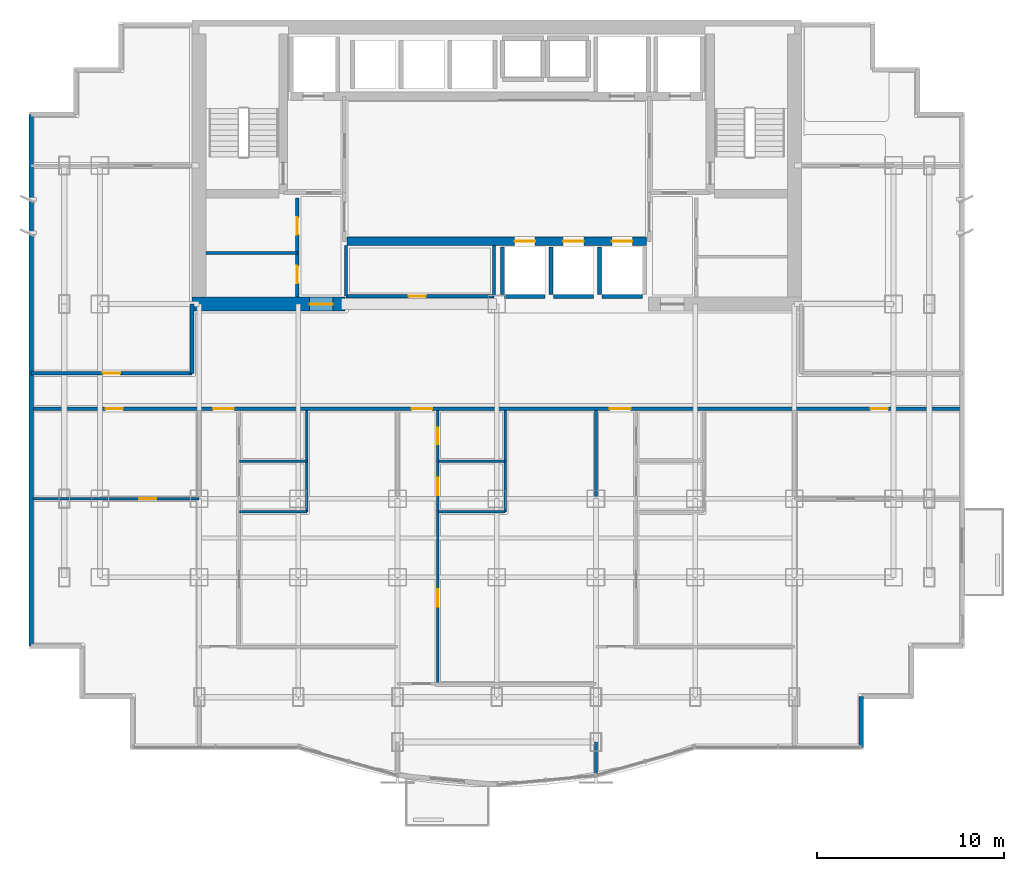
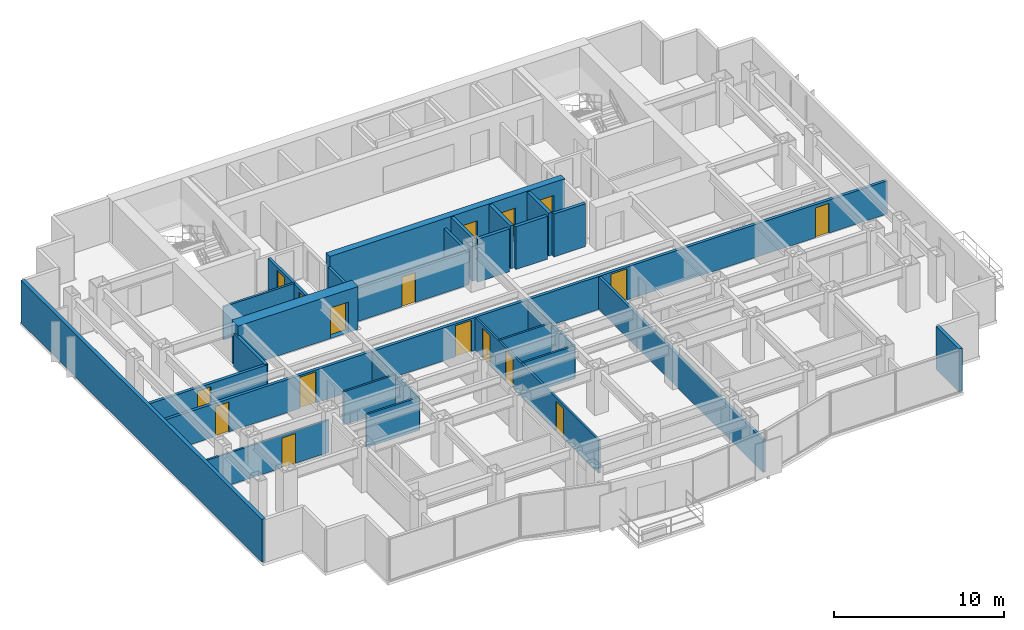
# One storey, part 5 of 9: 27 walls, 17 doors, 17 openings.
"""IFC4 building model written with IfcOpenShell, lengths in metres."""

from ifc_helpers import new_model, si_unit, direction, frame, frame_2d, origin, place, context, subcontext, project, spatial, rectangle, extrude, material, layer, layer_set, type_object, element, fill, save


model = new_model("IFC4")

# Units and contexts
model_context = context("Model", 3, precision=1e-05, world=origin(), true_north=direction((0.0, 1.0)))
body_context = subcontext(model_context, "Body", "Model", "MODEL_VIEW")
ifc_project = project(units=[si_unit("LENGTHUNIT", "METRE"), si_unit("AREAUNIT", "SQUARE_METRE"), si_unit("VOLUMEUNIT", "CUBIC_METRE"), si_unit("PLANEANGLEUNIT", "RADIAN"), si_unit("MASSUNIT", "GRAM", prefix="KILO")], contexts=[model_context])

# Site, building, storey
site_placement = place(None, origin())
site = spatial("IfcSite", under=ifc_project, at=site_placement, CompositionType="ELEMENT")
building_placement = place(site_placement, origin())
building = spatial("IfcBuilding", under=site, at=building_placement, Name="Qianlan Lanfeng Residences", CompositionType="ELEMENT")
storey_placement = place(building_placement, frame((0.0, 0.0, 111.39990234375)))
storey = spatial("IfcBuildingStorey", under=building, at=storey_placement, Name="L30", CompositionType="ELEMENT", Elevation=111.39990234375)

# Wall, openings, doors
ifc_material_1 = material(Name="Concrete C60", Category="concrete")
ifc_layer_1 = layer(ifc_material_1, 0.449951171875)
ifc_layer_set_1 = layer_set([ifc_layer_1], Name="Concrete C60")
wall_type_1 = type_object("IfcWallType", Name="CW-RC-450", PredefinedType="SHEAR", material=ifc_layer_set_1)
wall_1_placement = place(storey_placement, frame((18.5, 28.550048828125, 0.0), z_axis=(0.0, 0.0, 1.0), x_axis=(1.0, 0.0, 0.0)))
wall_1 = element("IfcWall", 1, at=wall_1_placement, inside=storey, type_object=wall_type_1, Name="L30 Core Shear Wall LBS", PredefinedType="SHEAR", context=body_context, shape_type="SweptSolid", body=[
    extrude(rectangle(XDim=16.0, YDim=0.449951171875, at=frame_2d((8.0, 0.0))), origin(), (0.0, 0.0, 1.0), 3.090087890625),
])
opening_1_placement = place(wall_1_placement, frame((8.949951171875, 0.0, 0.0)))
opening_1 = element("IfcOpeningElement", 2, at=opening_1_placement, cuts=wall_1, Name="Opening L30-LD-PL-M1", PredefinedType="OPENING", context=body_context, shape_type="SweptSolid", body=[
    extrude(rectangle(XDim=1.10009765625, YDim=2.14990234375, at=frame_2d((0.550048828125, 1.074951171875))), frame((0.0, 0.23486328125, 0.0), z_axis=(0.0, -1.0, 0.0), x_axis=(1.0, 0.0, 0.0)), (0.0, 0.0, 1.0), 0.469970703125),
])
opening_2_placement = place(wall_1_placement, frame((11.550048828125, 0.0, 0.0)))
opening_2 = element("IfcOpeningElement", 3, at=opening_2_placement, cuts=wall_1, Name="Opening L30-LD-PL-M2", PredefinedType="OPENING", context=body_context, shape_type="SweptSolid", body=[
    extrude(rectangle(XDim=1.10009765625, YDim=2.14990234375, at=frame_2d((0.550048828125, 1.074951171875))), frame((0.0, 0.23486328125, 0.0), z_axis=(0.0, -1.0, 0.0), x_axis=(1.0, 0.0, 0.0)), (0.0, 0.0, 1.0), 0.469970703125),
])
opening_3_placement = place(wall_1_placement, frame((14.14990234375, 0.0, 0.0)))
opening_3 = element("IfcOpeningElement", 4, at=opening_3_placement, cuts=wall_1, Name="Opening L30-LD-PL-M3", PredefinedType="OPENING", context=body_context, shape_type="SweptSolid", body=[
    extrude(rectangle(XDim=1.10009765625, YDim=2.14990234375, at=frame_2d((0.550048828125, 1.074951171875))), frame((0.0, 0.23486328125, 0.0), z_axis=(0.0, -1.0, 0.0), x_axis=(1.0, 0.0, 0.0)), (0.0, 0.0, 1.0), 0.469970703125),
])
ifc_material_2 = material(Name="Brushed Stainless Steel Sliding Lift Door", Category="steel")
door_type_1 = type_object("IfcDoorType", Name="LD-01", OperationType="NOTDEFINED", PredefinedType="DOOR", material=ifc_material_2)
door_1_placement = place(opening_1_placement, origin())
door_1 = element("IfcDoor", 5, at=door_1_placement, inside=storey, type_object=door_type_1, Name="L30 Elevator PL-M1 Sliding Landing Door", OperationType="DOUBLE_DOOR_SLIDING", OverallHeight=2.14990234375, OverallWidth=1.10009765625, PredefinedType="DOOR", context=body_context, shape_type="SweptSolid", body=[
    extrude(rectangle(XDim=1.10009765625, YDim=2.14990234375, at=frame_2d((0.550048828125, 1.074951171875))), frame((0.0, 0.02490234375, 0.0), z_axis=(0.0, -1.0, 0.0), x_axis=(1.0, 0.0, 0.0)), (0.0, 0.0, 1.0), 0.050048828125),
])
fill(opening_1, door_1)
door_2_placement = place(opening_2_placement, origin())
door_2 = element("IfcDoor", 6, at=door_2_placement, inside=storey, type_object=door_type_1, Name="L30 Elevator PL-M2 Sliding Landing Door", OperationType="DOUBLE_DOOR_SLIDING", OverallHeight=2.14990234375, OverallWidth=1.10009765625, PredefinedType="DOOR", context=body_context, shape_type="SweptSolid", body=[
    extrude(rectangle(XDim=1.10009765625, YDim=2.14990234375, at=frame_2d((0.550048828125, 1.074951171875))), frame((0.0, 0.02490234375, 0.0), z_axis=(0.0, -1.0, 0.0), x_axis=(1.0, 0.0, 0.0)), (0.0, 0.0, 1.0), 0.050048828125),
])
fill(opening_2, door_2)
door_3_placement = place(opening_3_placement, origin())
door_3 = element("IfcDoor", 7, at=door_3_placement, inside=storey, type_object=door_type_1, Name="L30 Elevator PL-M3 Sliding Landing Door", OperationType="DOUBLE_DOOR_SLIDING", OverallHeight=2.14990234375, OverallWidth=1.10009765625, PredefinedType="DOOR", context=body_context, shape_type="SweptSolid", body=[
    extrude(rectangle(XDim=1.10009765625, YDim=2.14990234375, at=frame_2d((0.550048828125, 1.074951171875))), frame((0.0, 0.02490234375, 0.0), z_axis=(0.0, -1.0, 0.0), x_axis=(1.0, 0.0, 0.0)), (0.0, 0.0, 1.0), 0.050048828125),
])
fill(opening_3, door_3)

# Wall, opening, door
ifc_layer_2 = layer(ifc_material_1, 0.75)
ifc_layer_set_2 = layer_set([ifc_layer_2], Name="Concrete C60")
wall_type_2 = type_object("IfcWallType", Name="CW-RC-750", PredefinedType="SHEAR", material=ifc_layer_set_2)
wall_2_placement = place(storey_placement, frame((10.22509765625, 25.199951171875, 0.0), z_axis=(0.0, 0.0, 1.0), x_axis=(1.0, 0.0, 0.0)))
wall_2 = element("IfcWall", 8, at=wall_2_placement, inside=storey, type_object=wall_type_2, Name="L30 Core Shear Wall SW", PredefinedType="SHEAR", context=body_context, shape_type="SweptSolid", body=[
    extrude(rectangle(XDim=8.1748046875, YDim=0.75, at=frame_2d((4.08740234375, 0.0))), origin(), (0.0, 0.0, 1.0), 3.090087890625),
])
opening_4_placement = place(wall_2_placement, frame((6.27490234375, 0.0, 0.0)))
opening_4 = element("IfcOpeningElement", 9, at=opening_4_placement, cuts=wall_2, Name="Opening L30-D01", PredefinedType="OPENING", context=body_context, shape_type="SweptSolid", body=[
    extrude(rectangle(XDim=1.25, YDim=2.199951171875, at=frame_2d((0.625, 1.10009765625))), frame((0.0, 0.385009765625, 0.0), z_axis=(0.0, -1.0, 0.0), x_axis=(1.0, 0.0, 0.0)), (0.0, 0.0, 1.0), 0.77001953125),
])
ifc_material_3 = material(Name="Painted Galvanised Steel Fire Door", Category="steel")
door_type_2 = type_object("IfcDoorType", Name="DT-FFL", OperationType="NOTDEFINED", PredefinedType="DOOR", material=ifc_material_3)
door_4_placement = place(opening_4_placement, origin())
door_4 = element("IfcDoor", 10, at=door_4_placement, inside=storey, type_object=door_type_2, Name="L30 West Core Lobby Smoke Door L30-D01 (DT-FFL)", OperationType="SINGLE_SWING_RIGHT", OverallHeight=2.199951171875, OverallWidth=1.25, PredefinedType="DOOR", context=body_context, shape_type="SweptSolid", body=[
    extrude(rectangle(XDim=1.25, YDim=2.199951171875, at=frame_2d((0.625, 1.10009765625))), frame((0.0, 0.02490234375, 0.0), z_axis=(0.0, -1.0, 0.0), x_axis=(1.0, 0.0, 0.0)), (0.0, 0.0, 1.0), 0.050048828125),
])
fill(opening_4, door_4)

# Walls
ifc_material_4 = material(Name="Concrete C42", Category="concrete")
ifc_layer_3 = layer(ifc_material_4, 0.239990234375)
ifc_layer_set_3 = layer_set([ifc_layer_3], Name="Concrete C42")
wall_type_3 = type_object("IfcWallType", Name="EW-240", PredefinedType="SOLIDWALL", material=ifc_layer_set_3)
wall_3_placement = place(storey_placement, frame((45.97998046875, 1.52001953125, 0.0), z_axis=(0.0, 0.0, 1.0), x_axis=(0.0, 1.0, 0.0)))
element("IfcWall", 11, at=wall_3_placement, inside=storey, type_object=wall_type_3, Name="L30 Exterior Facade Spandrel Wall 6", PredefinedType="SOLIDWALL", context=body_context, shape_type="SweptSolid", body=[
    extrude(rectangle(XDim=2.699951171875, YDim=0.239990234375, at=frame_2d((1.35009765625, 0.0))), origin(), (0.0, 0.0, 1.0), 3.090087890625),
])
wall_4_placement = place(storey_placement, frame((1.6201171875, 35.330078125, 0.0), z_axis=(0.0, 0.0, 1.0), x_axis=(0.0, -1.0, 0.0)))
element("IfcWall", 12, at=wall_4_placement, inside=storey, type_object=wall_type_3, Name="L30 Exterior Facade Spandrel Wall 21", PredefinedType="SOLIDWALL", context=body_context, shape_type="SweptSolid", body=[
    extrude(rectangle(XDim=28.41015625, YDim=0.239990234375, at=frame_2d((14.205078125, 0.0))), origin(), (0.0, 0.0, 1.0), 3.090087890625),
])
ifc_material_5 = material(Name="Moisture-Resistant Gypsum Partition 135 mm")
ifc_layer_4 = layer(ifc_material_5, 0.135009765625)
ifc_layer_set_4 = layer_set([ifc_layer_4], Name="Moisture-Resistant Gypsum Partition 135 mm")
wall_type_4 = type_object("IfcWallType", Name="PW-135", PredefinedType="PARTITIONING", material=ifc_layer_set_4)
wall_5_placement = place(storey_placement, frame((12.75, 14.10009765625, 0.0), z_axis=(0.0, 0.0, 1.0), x_axis=(1.0, 0.0, 0.0)))
element("IfcWall", 13, at=wall_5_placement, inside=storey, type_object=wall_type_4, Name="L30 U01 Kitchen South Wall", PredefinedType="PARTITIONING", context=body_context, shape_type="SweptSolid", body=[
    extrude(rectangle(XDim=3.60009765625, YDim=0.135009765625, at=frame_2d((1.800048828125, 0.0))), origin(), (0.0, 0.0, 1.0), 2.380126953125),
])
wall_6_placement = place(storey_placement, frame((16.35009765625, 14.10009765625, 0.0), z_axis=(0.0, 0.0, 1.0), x_axis=(0.0, 1.0, 0.0)))
element("IfcWall", 14, at=wall_6_placement, inside=storey, type_object=wall_type_4, Name="L30 U01 Dining East Wall", PredefinedType="PARTITIONING", context=body_context, shape_type="SweptSolid", body=[
    extrude(rectangle(XDim=5.39990234375, YDim=0.135009765625, at=frame_2d((2.699951171875, 0.0))), origin(), (0.0, 0.0, 1.0), 2.380126953125),
])
wall_7_placement = place(storey_placement, frame((12.75, 16.800048828125, 0.0), z_axis=(0.0, 0.0, 1.0), x_axis=(1.0, 0.0, 0.0)))
element("IfcWall", 15, at=wall_7_placement, inside=storey, type_object=wall_type_4, Name="L30 U01 Bathroom South Wall", PredefinedType="PARTITIONING", context=body_context, shape_type="SweptSolid", body=[
    extrude(rectangle(XDim=3.60009765625, YDim=0.135009765625, at=frame_2d((1.800048828125, 0.0))), origin(), (0.0, 0.0, 1.0), 2.380126953125),
])

# Wall, openings, doors
wall_8_placement = place(storey_placement, frame((23.35009765625, 4.903076171875, 0.0), z_axis=(0.0, 0.0, 1.0), x_axis=(0.0, 1.0, 0.0)))
wall_8 = element("IfcWall", 16, at=wall_8_placement, inside=storey, type_object=wall_type_4, Name="L30 U02 Entry Hall Spine", PredefinedType="PARTITIONING", context=body_context, shape_type="SweptSolid", body=[
    extrude(rectangle(XDim=14.596923828125, YDim=0.135009765625, at=frame_2d((7.29833984375, 0.0))), origin(), (0.0, 0.0, 1.0), 2.380126953125),
])
opening_5_placement = place(wall_8_placement, frame((4.137939453125, 0.0, 0.0)))
opening_5 = element("IfcOpeningElement", 17, at=opening_5_placement, cuts=wall_8, Name="Opening L30-D23", PredefinedType="OPENING", context=body_context, shape_type="SweptSolid", body=[
    extrude(rectangle(XDim=0.919921875, YDim=2.14990234375, at=frame_2d((0.4599609375, 1.074951171875))), frame((0.0, 0.07763671875, 0.0), z_axis=(0.0, -1.0, 0.0), x_axis=(1.0, 0.0, 0.0)), (0.0, 0.0, 1.0), 0.155029296875),
])
opening_6_placement = place(wall_8_placement, frame((10.0869140625, 0.0, 0.0)))
opening_6 = element("IfcOpeningElement", 18, at=opening_6_placement, cuts=wall_8, Name="Opening L30-D24", PredefinedType="OPENING", context=body_context, shape_type="SweptSolid", body=[
    extrude(rectangle(XDim=0.919921875, YDim=2.14990234375, at=frame_2d((0.4599609375, 1.074951171875))), frame((0.0, 0.07763671875, 0.0), z_axis=(0.0, -1.0, 0.0), x_axis=(1.0, 0.0, 0.0)), (0.0, 0.0, 1.0), 0.155029296875),
])
opening_7_placement = place(wall_8_placement, frame((12.797119140625, 0.0, 0.0)))
opening_7 = element("IfcOpeningElement", 19, at=opening_7_placement, cuts=wall_8, Name="Opening L30-D25", PredefinedType="OPENING", context=body_context, shape_type="SweptSolid", body=[
    extrude(rectangle(XDim=0.89990234375, YDim=2.14990234375, at=frame_2d((0.449951171875, 1.074951171875))), frame((0.0, 0.07763671875, 0.0), z_axis=(0.0, -1.0, 0.0), x_axis=(1.0, 0.0, 0.0)), (0.0, 0.0, 1.0), 0.155029296875),
])
ifc_material_6 = material(Name="Glazed Timber Kitchen/Study Door", Category="wood")
door_type_3 = type_object("IfcDoorType", Name="DT-INT", OperationType="NOTDEFINED", PredefinedType="DOOR", material=ifc_material_6)
door_5_placement = place(opening_5_placement, origin())
door_5 = element("IfcDoor", 20, at=door_5_placement, inside=storey, type_object=door_type_3, Name="L30 U02 Study Door L30-D23 (DT-INT)", OperationType="SINGLE_SWING_RIGHT", OverallHeight=2.14990234375, OverallWidth=0.919921875, PredefinedType="DOOR", context=body_context, shape_type="SweptSolid", body=[
    extrude(rectangle(XDim=0.919921875, YDim=2.14990234375, at=frame_2d((0.4599609375, 1.074951171875))), frame((0.0, 0.02490234375, 0.0), z_axis=(0.0, -1.0, 0.0), x_axis=(1.0, 0.0, 0.0)), (0.0, 0.0, 1.0), 0.050048828125),
])
fill(opening_5, door_5)
door_6_placement = place(opening_6_placement, origin())
door_6 = element("IfcDoor", 21, at=door_6_placement, inside=storey, type_object=door_type_3, Name="L30 U02 Kitchen Door L30-D24 (DT-INT)", OperationType="SINGLE_SWING_LEFT", OverallHeight=2.14990234375, OverallWidth=0.919921875, PredefinedType="DOOR", context=body_context, shape_type="SweptSolid", body=[
    extrude(rectangle(XDim=0.919921875, YDim=2.14990234375, at=frame_2d((0.4599609375, 1.074951171875))), frame((0.0, 0.02490234375, 0.0), z_axis=(0.0, -1.0, 0.0), x_axis=(1.0, 0.0, 0.0)), (0.0, 0.0, 1.0), 0.050048828125),
])
fill(opening_6, door_6)
ifc_material_7 = material(Name="Moisture-Resistant Timber Leaf", Category="wood")
door_type_4 = type_object("IfcDoorType", Name="DT-WC", OperationType="NOTDEFINED", PredefinedType="DOOR", material=ifc_material_7)
door_7_placement = place(opening_7_placement, origin())
door_7 = element("IfcDoor", 22, at=door_7_placement, inside=storey, type_object=door_type_4, Name="L30 U02 Bathroom Door L30-D25 (DT-WC)", OperationType="SINGLE_SWING_RIGHT", OverallHeight=2.14990234375, OverallWidth=0.89990234375, PredefinedType="DOOR", context=body_context, shape_type="SweptSolid", body=[
    extrude(rectangle(XDim=0.89990234375, YDim=2.14990234375, at=frame_2d((0.449951171875, 1.074951171875))), frame((0.0, 0.02490234375, 0.0), z_axis=(0.0, -1.0, 0.0), x_axis=(1.0, 0.0, 0.0)), (0.0, 0.0, 1.0), 0.050048828125),
])
fill(opening_7, door_7)

# Walls
wall_9_placement = place(storey_placement, frame((23.35009765625, 14.10009765625, 0.0), z_axis=(0.0, 0.0, 1.0), x_axis=(1.0, 0.0, 0.0)))
element("IfcWall", 23, at=wall_9_placement, inside=storey, type_object=wall_type_4, Name="L30 U02 Kitchen South Wall", PredefinedType="PARTITIONING", context=body_context, shape_type="SweptSolid", body=[
    extrude(rectangle(XDim=3.599853515625, YDim=0.135009765625, at=frame_2d((1.7998046875, 0.0))), origin(), (0.0, 0.0, 1.0), 2.380126953125),
])
wall_10_placement = place(storey_placement, frame((26.949951171875, 14.10009765625, 0.0), z_axis=(0.0, 0.0, 1.0), x_axis=(0.0, 1.0, 0.0)))
element("IfcWall", 24, at=wall_10_placement, inside=storey, type_object=wall_type_4, Name="L30 U02 Dining East Wall", PredefinedType="PARTITIONING", context=body_context, shape_type="SweptSolid", body=[
    extrude(rectangle(XDim=5.39990234375, YDim=0.135009765625, at=frame_2d((2.699951171875, 0.0))), origin(), (0.0, 0.0, 1.0), 2.380126953125),
])
wall_11_placement = place(storey_placement, frame((23.35009765625, 16.800048828125, 0.0), z_axis=(0.0, 0.0, 1.0), x_axis=(1.0, 0.0, 0.0)))
element("IfcWall", 25, at=wall_11_placement, inside=storey, type_object=wall_type_4, Name="L30 U02 Bathroom South Wall", PredefinedType="PARTITIONING", context=body_context, shape_type="SweptSolid", body=[
    extrude(rectangle(XDim=3.599853515625, YDim=0.135009765625, at=frame_2d((1.7998046875, 0.0))), origin(), (0.0, 0.0, 1.0), 2.380126953125),
])

# Wall, opening, door
wall_12_placement = place(storey_placement, frame((1.719970703125, 14.800048828125, 0.0), z_axis=(0.0, 0.0, 1.0), x_axis=(1.0, 0.0, 0.0)))
wall_12 = element("IfcWall", 26, at=wall_12_placement, inside=storey, type_object=wall_type_4, Name="L30 SWP Mid Partition", PredefinedType="PARTITIONING", context=body_context, shape_type="SweptSolid", body=[
    extrude(rectangle(XDim=8.880126953125, YDim=0.135009765625, at=frame_2d((4.43994140625, 0.0))), origin(), (0.0, 0.0, 1.0), 2.335205078125),
])
opening_8_placement = place(wall_12_placement, frame((5.679931640625, 0.0, 0.0)))
opening_8 = element("IfcOpeningElement", 27, at=opening_8_placement, cuts=wall_12, Name="Opening L30-D31", PredefinedType="OPENING", context=body_context, shape_type="SweptSolid", body=[
    extrude(rectangle(XDim=0.919921875, YDim=2.14990234375, at=frame_2d((0.4599609375, 1.074951171875))), frame((0.0, 0.07763671875, 0.0), z_axis=(0.0, -1.0, 0.0), x_axis=(1.0, 0.0, 0.0)), (0.0, 0.0, 1.0), 0.155029296875),
])
door_8_placement = place(opening_8_placement, origin())
door_8 = element("IfcDoor", 28, at=door_8_placement, inside=storey, type_object=door_type_3, Name="L30 SWP Inner Door L30-D31 (DT-INT)", OperationType="SINGLE_SWING_RIGHT", OverallHeight=2.14990234375, OverallWidth=0.919921875, PredefinedType="DOOR", context=body_context, shape_type="SweptSolid", body=[
    extrude(rectangle(XDim=0.919921875, YDim=2.14990234375, at=frame_2d((0.4599609375, 1.074951171875))), frame((0.0, 0.02490234375, 0.0), z_axis=(0.0, -1.0, 0.0), x_axis=(1.0, 0.0, 0.0)), (0.0, 0.0, 1.0), 0.050048828125),
])
fill(opening_8, door_8)

# Wall
ifc_material_8 = material(Name="Acoustic Drywall Partition 150 mm")
ifc_layer_5 = layer(ifc_material_8, 0.14990234375)
ifc_layer_set_5 = layer_set([ifc_layer_5], Name="Acoustic Drywall Partition 150 mm")
wall_type_5 = type_object("IfcWallType", Name="PW-150", PredefinedType="PARTITIONING", material=ifc_layer_set_5)
wall_13_placement = place(storey_placement, frame((10.97509765625, 27.925048828125, 0.0), z_axis=(0.0, 0.0, 1.0), x_axis=(1.0, 0.0, 0.0)))
element("IfcWall", 29, at=wall_13_placement, inside=storey, type_object=wall_type_5, Name="L30 Core West Split", PredefinedType="PARTITIONING", context=body_context, shape_type="SweptSolid", body=[
    extrude(rectangle(XDim=4.875, YDim=0.14990234375, at=frame_2d((2.4375, 0.0))), origin(), (0.0, 0.0, 1.0), 2.380126953125),
])

# Wall, openings, doors
ifc_material_9 = material(Name="Double-Layer Acoustic Gypsum Stud Wall 180 mm")
ifc_layer_6 = layer(ifc_material_9, 0.179931640625)
ifc_layer_set_6 = layer_set([ifc_layer_6], Name="Double-Layer Acoustic Gypsum Stud Wall 180 mm")
wall_type_6 = type_object("IfcWallType", Name="PW-180", PredefinedType="PARTITIONING", material=ifc_layer_set_6)
wall_14_placement = place(storey_placement, frame((15.85009765625, 25.574951171875, 0.0), z_axis=(0.0, 0.0, 1.0), x_axis=(0.0, 1.0, 0.0)))
wall_14 = element("IfcWall", 30, at=wall_14_placement, inside=storey, type_object=wall_type_6, Name="L30 Core West Service Room Wall", PredefinedType="PARTITIONING", context=body_context, shape_type="SweptSolid", body=[
    extrude(rectangle(XDim=5.300048828125, YDim=0.179931640625, at=frame_2d((2.64990234375, 0.0))), origin(), (0.0, 0.0, 1.0), 2.380126953125),
])
opening_9_placement = place(wall_14_placement, frame((0.739990234375, 0.0, 0.0)))
opening_9 = element("IfcOpeningElement", 31, at=opening_9_placement, cuts=wall_14, Name="Opening L30-D09", PredefinedType="OPENING", context=body_context, shape_type="SweptSolid", body=[
    extrude(rectangle(XDim=0.919921875, YDim=2.14990234375, at=frame_2d((0.4599609375, 1.074951171875))), frame((0.0, 0.10009765625, 0.0), z_axis=(0.0, -1.0, 0.0), x_axis=(1.0, 0.0, 0.0)), (0.0, 0.0, 1.0), 0.199951171875),
])
opening_10_placement = place(wall_14_placement, frame((3.340087890625, 0.0, 0.0)))
opening_10 = element("IfcOpeningElement", 32, at=opening_10_placement, cuts=wall_14, Name="Opening L30-D10", PredefinedType="OPENING", context=body_context, shape_type="SweptSolid", body=[
    extrude(rectangle(XDim=0.919921875, YDim=2.14990234375, at=frame_2d((0.4599609375, 1.074951171875))), frame((0.0, 0.10009765625, 0.0), z_axis=(0.0, -1.0, 0.0), x_axis=(1.0, 0.0, 0.0)), (0.0, 0.0, 1.0), 0.199951171875),
])
door_9_placement = place(opening_9_placement, origin())
door_9 = element("IfcDoor", 33, at=door_9_placement, inside=storey, type_object=door_type_3, Name="L30 Parcel Room Door L30-D09 (DT-INT)", OperationType="SINGLE_SWING_LEFT", OverallHeight=2.14990234375, OverallWidth=0.919921875, PredefinedType="DOOR", context=body_context, shape_type="SweptSolid", body=[
    extrude(rectangle(XDim=0.919921875, YDim=2.14990234375, at=frame_2d((0.4599609375, 1.074951171875))), frame((0.0, 0.02490234375, 0.0), z_axis=(0.0, -1.0, 0.0), x_axis=(1.0, 0.0, 0.0)), (0.0, 0.0, 1.0), 0.050048828125),
])
fill(opening_9, door_9)
door_10_placement = place(opening_10_placement, origin())
door_10 = element("IfcDoor", 34, at=door_10_placement, inside=storey, type_object=door_type_3, Name="L30 Janitor Closet Door L30-D10 (DT-INT)", OperationType="SINGLE_SWING_LEFT", OverallHeight=2.14990234375, OverallWidth=0.919921875, PredefinedType="DOOR", context=body_context, shape_type="SweptSolid", body=[
    extrude(rectangle(XDim=0.919921875, YDim=2.14990234375, at=frame_2d((0.4599609375, 1.074951171875))), frame((0.0, 0.02490234375, 0.0), z_axis=(0.0, -1.0, 0.0), x_axis=(1.0, 0.0, 0.0)), (0.0, 0.0, 1.0), 0.050048828125),
])
fill(opening_10, door_10)

# Walls
for number, where, z_axis, x_axis, name in (
    (35, (18.449951171875, 25.6201171875, 0.0), (0.0, 0.0, 1.0), (0.0, 1.0, 0.0), "L30 Reclaimed Low-Bank Room West Wall"),
    (36, (26.35009765625, 25.6201171875, 0.0), (0.0, 0.0, 1.0), (0.0, 1.0, 0.0), "L30 Reclaimed Low-Bank Room East Wall"),
):
    element("IfcWall", number, at=place(storey_placement, frame(where, z_axis=z_axis, x_axis=x_axis)), inside=storey, type_object=wall_type_6, Name=name, PredefinedType="PARTITIONING", context=body_context, shape_type="SweptSolid", body=[
        extrude(rectangle(XDim=2.704833984375, YDim=0.179931640625, at=frame_2d((1.3525390625, 0.0))), origin(), (0.0, 0.0, 1.0), 2.380126953125),
    ])

# Wall, opening, door
wall_15_placement = place(storey_placement, frame((18.449951171875, 25.6201171875, 0.0), z_axis=(0.0, 0.0, 1.0), x_axis=(1.0, 0.0, 0.0)))
wall_15 = element("IfcWall", 37, at=wall_15_placement, inside=storey, type_object=wall_type_6, Name="L30 Reclaimed Low-Bank Room South Wall", PredefinedType="PARTITIONING", context=body_context, shape_type="SweptSolid", body=[
    extrude(rectangle(XDim=7.900146484375, YDim=0.179931640625, at=frame_2d((3.9501953125, 0.0))), origin(), (0.0, 0.0, 1.0), 2.380126953125),
])
opening_11_placement = place(wall_15_placement, frame((3.340087890625, 0.0, 0.0)))
opening_11 = element("IfcOpeningElement", 38, at=opening_11_placement, cuts=wall_15, Name="Opening L30-D15", PredefinedType="OPENING", context=body_context, shape_type="SweptSolid", body=[
    extrude(rectangle(XDim=0.919921875, YDim=2.14990234375, at=frame_2d((0.4599609375, 1.074951171875))), frame((0.0, 0.10009765625, 0.0), z_axis=(0.0, -1.0, 0.0), x_axis=(1.0, 0.0, 0.0)), (0.0, 0.0, 1.0), 0.199951171875),
])
door_11_placement = place(opening_11_placement, origin())
door_11 = element("IfcDoor", 39, at=door_11_placement, inside=storey, type_object=door_type_3, Name="L30 Reclaimed Core Salon Door L30-D15 (DT-INT)", OperationType="SINGLE_SWING_RIGHT", OverallHeight=2.14990234375, OverallWidth=0.919921875, PredefinedType="DOOR", context=body_context, shape_type="SweptSolid", body=[
    extrude(rectangle(XDim=0.919921875, YDim=2.14990234375, at=frame_2d((0.4599609375, 1.074951171875))), frame((0.0, 0.02490234375, 0.0), z_axis=(0.0, -1.0, 0.0), x_axis=(1.0, 0.0, 0.0)), (0.0, 0.0, 1.0), 0.050048828125),
])
fill(opening_11, door_11)

# Wall
wall_16_placement = place(storey_placement, frame((31.800048828125, 0.126953125, 0.0), z_axis=(0.0, 0.0, 1.0), x_axis=(0.0, 1.0, 0.0)))
element("IfcWall", 40, at=wall_16_placement, inside=storey, type_object=wall_type_6, Name="L30 Inter-Tenancy Party Wall 3", PredefinedType="PARTITIONING", context=body_context, shape_type="SweptSolid", body=[
    extrude(rectangle(XDim=19.373046875, YDim=0.179931640625, at=frame_2d((9.6865234375, 0.0))), origin(), (0.0, 0.0, 1.0), 2.335205078125),
])

# Wall, openings, doors
ifc_material_10 = material(Name="Autoclaved Aerated Concrete Blockwork 200 mm", Category="masonry")
ifc_layer_7 = layer(ifc_material_10, 0.199951171875)
ifc_layer_set_7 = layer_set([ifc_layer_7], Name="Autoclaved Aerated Concrete Blockwork 200 mm")
wall_type_7 = type_object("IfcWallType", Name="PW-200", PredefinedType="PARTITIONING", material=ifc_layer_set_7)
wall_17_placement = place(storey_placement, frame((1.6201171875, 19.60009765625, 0.0), z_axis=(0.0, 0.0, 1.0), x_axis=(1.0, 0.0, 0.0)))
wall_17 = element("IfcWall", 41, at=wall_17_placement, inside=storey, type_object=wall_type_7, Name="L30 Residential Corridor South Fire Wall", PredefinedType="PARTITIONING", context=body_context, shape_type="SweptSolid", body=[
    extrude(rectangle(XDim=49.759765625, YDim=0.199951171875, at=frame_2d((24.8798828125, 0.0))), origin(), (0.0, 0.0, 1.0), 2.380126953125),
])
opening_12_placement = place(wall_17_placement, frame((9.72998046875, 0.0, 0.0)))
opening_12 = element("IfcOpeningElement", 42, at=opening_12_placement, cuts=wall_17, Name="Opening L30-D16", PredefinedType="OPENING", context=body_context, shape_type="SweptSolid", body=[
    extrude(rectangle(XDim=1.10009765625, YDim=2.25, at=frame_2d((0.550048828125, 1.125))), frame((0.0, 0.10986328125, 0.0), z_axis=(0.0, -1.0, 0.0), x_axis=(1.0, 0.0, 0.0)), (0.0, 0.0, 1.0), 0.219970703125),
])
opening_13_placement = place(wall_17_placement, frame((20.330078125, 0.0, 0.0)))
opening_13 = element("IfcOpeningElement", 43, at=opening_13_placement, cuts=wall_17, Name="Opening L30-D21", PredefinedType="OPENING", context=body_context, shape_type="SweptSolid", body=[
    extrude(rectangle(XDim=1.10009765625, YDim=2.25, at=frame_2d((0.550048828125, 1.125))), frame((0.0, 0.10986328125, 0.0), z_axis=(0.0, -1.0, 0.0), x_axis=(1.0, 0.0, 0.0)), (0.0, 0.0, 1.0), 0.219970703125),
])
opening_14_placement = place(wall_17_placement, frame((30.929931640625, 0.0, 0.0)))
opening_14 = element("IfcOpeningElement", 44, at=opening_14_placement, cuts=wall_17, Name="Opening L30-D26", PredefinedType="OPENING", context=body_context, shape_type="SweptSolid", body=[
    extrude(rectangle(XDim=1.10009765625, YDim=2.25, at=frame_2d((0.550048828125, 1.125))), frame((0.0, 0.10986328125, 0.0), z_axis=(0.0, -1.0, 0.0), x_axis=(1.0, 0.0, 0.0)), (0.0, 0.0, 1.0), 0.219970703125),
])
opening_15_placement = place(wall_17_placement, frame((3.985107421875, 0.0, 0.0)))
opening_15 = element("IfcOpeningElement", 45, at=opening_15_placement, cuts=wall_17, Name="Opening L30-D32", PredefinedType="OPENING", context=body_context, shape_type="SweptSolid", body=[
    extrude(rectangle(XDim=0.919921875, YDim=2.14990234375, at=frame_2d((0.4599609375, 1.074951171875))), frame((0.0, 0.10986328125, 0.0), z_axis=(0.0, -1.0, 0.0), x_axis=(1.0, 0.0, 0.0)), (0.0, 0.0, 1.0), 0.219970703125),
])
opening_16_placement = place(wall_17_placement, frame((44.85498046875, 0.0, 0.0)))
opening_16 = element("IfcOpeningElement", 46, at=opening_16_placement, cuts=wall_17, Name="Opening L30-D34", PredefinedType="OPENING", context=body_context, shape_type="SweptSolid", body=[
    extrude(rectangle(XDim=0.919921875, YDim=2.14990234375, at=frame_2d((0.4599609375, 1.074951171875))), frame((0.0, 0.10986328125, 0.0), z_axis=(0.0, -1.0, 0.0), x_axis=(1.0, 0.0, 0.0)), (0.0, 0.0, 1.0), 0.219970703125),
])
door_12_placement = place(opening_15_placement, origin())
door_12 = element("IfcDoor", 47, at=door_12_placement, inside=storey, type_object=door_type_3, Name="L30 SWP Corridor Door L30-D32 (DT-INT)", OperationType="SINGLE_SWING_LEFT", OverallHeight=2.14990234375, OverallWidth=0.919921875, PredefinedType="DOOR", context=body_context, shape_type="SweptSolid", body=[
    extrude(rectangle(XDim=0.919921875, YDim=2.14990234375, at=frame_2d((0.4599609375, 1.074951171875))), frame((0.0, 0.02490234375, 0.0), z_axis=(0.0, -1.0, 0.0), x_axis=(1.0, 0.0, 0.0)), (0.0, 0.0, 1.0), 0.050048828125),
])
fill(opening_15, door_12)
door_13_placement = place(opening_16_placement, origin())
door_13 = element("IfcDoor", 48, at=door_13_placement, inside=storey, type_object=door_type_3, Name="L30 SEP Corridor Door L30-D34 (DT-INT)", OperationType="SINGLE_SWING_LEFT", OverallHeight=2.14990234375, OverallWidth=0.919921875, PredefinedType="DOOR", context=body_context, shape_type="SweptSolid", body=[
    extrude(rectangle(XDim=0.919921875, YDim=2.14990234375, at=frame_2d((0.4599609375, 1.074951171875))), frame((0.0, 0.02490234375, 0.0), z_axis=(0.0, -1.0, 0.0), x_axis=(1.0, 0.0, 0.0)), (0.0, 0.0, 1.0), 0.050048828125),
])
fill(opening_16, door_13)
ifc_material_11 = material(Name="Solid-Core Oak Veneer Fire Door")
door_type_5 = type_object("IfcDoorType", Name="DT-UNIT", OperationType="NOTDEFINED", PredefinedType="DOOR", material=ifc_material_11)
door_14_placement = place(opening_12_placement, origin())
door_14 = element("IfcDoor", 49, at=door_14_placement, inside=storey, type_object=door_type_5, Name="L30 Apartment U01 Entrance Door L30-D16 (DT-UNIT)", OperationType="SINGLE_SWING_RIGHT", OverallHeight=2.25, OverallWidth=1.10009765625, PredefinedType="DOOR", context=body_context, shape_type="SweptSolid", body=[
    extrude(rectangle(XDim=1.10009765625, YDim=2.25, at=frame_2d((0.550048828125, 1.125))), frame((0.0, 0.02490234375, 0.0), z_axis=(0.0, -1.0, 0.0), x_axis=(1.0, 0.0, 0.0)), (0.0, 0.0, 1.0), 0.050048828125),
])
fill(opening_12, door_14)
door_15_placement = place(opening_13_placement, origin())
door_15 = element("IfcDoor", 50, at=door_15_placement, inside=storey, type_object=door_type_5, Name="L30 Apartment U02 Entrance Door L30-D21 (DT-UNIT)", OperationType="SINGLE_SWING_RIGHT", OverallHeight=2.25, OverallWidth=1.10009765625, PredefinedType="DOOR", context=body_context, shape_type="SweptSolid", body=[
    extrude(rectangle(XDim=1.10009765625, YDim=2.25, at=frame_2d((0.550048828125, 1.125))), frame((0.0, 0.02490234375, 0.0), z_axis=(0.0, -1.0, 0.0), x_axis=(1.0, 0.0, 0.0)), (0.0, 0.0, 1.0), 0.050048828125),
])
fill(opening_13, door_15)
door_16_placement = place(opening_14_placement, origin())
door_16 = element("IfcDoor", 51, at=door_16_placement, inside=storey, type_object=door_type_5, Name="L30 Apartment U03 Entrance Door L30-D26 (DT-UNIT)", OperationType="SINGLE_SWING_RIGHT", OverallHeight=2.25, OverallWidth=1.10009765625, PredefinedType="DOOR", context=body_context, shape_type="SweptSolid", body=[
    extrude(rectangle(XDim=1.10009765625, YDim=2.25, at=frame_2d((0.550048828125, 1.125))), frame((0.0, 0.02490234375, 0.0), z_axis=(0.0, -1.0, 0.0), x_axis=(1.0, 0.0, 0.0)), (0.0, 0.0, 1.0), 0.050048828125),
])
fill(opening_14, door_16)

# Wall, opening, door
wall_18_placement = place(storey_placement, frame((1.6201171875, 21.5, 0.0), z_axis=(0.0, 0.0, 1.0), x_axis=(1.0, 0.0, 0.0)))
wall_18 = element("IfcWall", 52, at=wall_18_placement, inside=storey, type_object=wall_type_7, Name="L30 Corridor NW Wall", PredefinedType="PARTITIONING", context=body_context, shape_type="SweptSolid", body=[
    extrude(rectangle(XDim=8.60498046875, YDim=0.199951171875, at=frame_2d((4.302490234375, 0.0))), origin(), (0.0, 0.0, 1.0), 2.380126953125),
])
opening_17_placement = place(wall_18_placement, frame((3.842041015625, 0.0, 0.0)))
opening_17 = element("IfcOpeningElement", 53, at=opening_17_placement, cuts=wall_18, Name="Opening L30-D36", PredefinedType="OPENING", context=body_context, shape_type="SweptSolid", body=[
    extrude(rectangle(XDim=0.919921875, YDim=2.14990234375, at=frame_2d((0.4599609375, 1.074951171875))), frame((0.0, 0.10986328125, 0.0), z_axis=(0.0, -1.0, 0.0), x_axis=(1.0, 0.0, 0.0)), (0.0, 0.0, 1.0), 0.219970703125),
])
door_17_placement = place(opening_17_placement, origin())
door_17 = element("IfcDoor", 54, at=door_17_placement, inside=storey, type_object=door_type_3, Name="L30 WW Amenity Salon Door L30-D36 (DT-INT)", OperationType="SINGLE_SWING_LEFT", OverallHeight=2.14990234375, OverallWidth=0.919921875, PredefinedType="DOOR", context=body_context, shape_type="SweptSolid", body=[
    extrude(rectangle(XDim=0.919921875, YDim=2.14990234375, at=frame_2d((0.4599609375, 1.074951171875))), frame((0.0, 0.02490234375, 0.0), z_axis=(0.0, -1.0, 0.0), x_axis=(1.0, 0.0, 0.0)), (0.0, 0.0, 1.0), 0.050048828125),
])
fill(opening_17, door_17)

# Walls
wall_19_placement = place(storey_placement, frame((10.22509765625, 21.5, 0.0), z_axis=(0.0, 0.0, 1.0), x_axis=(0.0, 1.0, 0.0)))
element("IfcWall", 55, at=wall_19_placement, inside=storey, type_object=wall_type_7, Name="L30 NW Wing Core Return Wall", PredefinedType="PARTITIONING", context=body_context, shape_type="SweptSolid", body=[
    extrude(rectangle(XDim=3.699951171875, YDim=0.199951171875, at=frame_2d((1.85009765625, 0.0))), origin(), (0.0, 0.0, 1.0), 2.380126953125),
])
ifc_material_12 = material(Name="Concrete C49", Category="concrete")
ifc_layer_8 = layer(ifc_material_12, 0.219970703125)
ifc_layer_set_8 = layer_set([ifc_layer_8], Name="Concrete C49")
wall_type_8 = type_object("IfcWallType", Name="SHW-220", PredefinedType="SOLIDWALL", material=ifc_layer_set_8)
wall_20_placement = place(storey_placement, frame((26.800048828125, 25.719970703125, 0.0), z_axis=(0.0, 0.0, 1.0), x_axis=(0.0, 1.0, 0.0)))
element("IfcWall", 56, at=wall_20_placement, inside=storey, type_object=wall_type_8, Name="L30 Lift PL-M1 Shaft Wall W", PredefinedType="SOLIDWALL", context=body_context, shape_type="SweptSolid", body=[
    extrude(rectangle(XDim=2.530029296875, YDim=0.219970703125, at=frame_2d((1.26513671875, 0.0))), origin(), (0.0, 0.0, 1.0), 3.090087890625),
])
wall_21_placement = place(storey_placement, frame((26.919921875, 25.60009765625, 0.0), z_axis=(0.0, 0.0, 1.0), x_axis=(1.0, 0.0, 0.0)))
element("IfcWall", 57, at=wall_21_placement, inside=storey, type_object=wall_type_8, Name="L30 Lift PL-M1 Shaft Back Wall S", PredefinedType="SOLIDWALL", context=body_context, shape_type="SweptSolid", body=[
    extrude(rectangle(XDim=2.16015625, YDim=0.219970703125, at=frame_2d((1.080078125, 0.0))), origin(), (0.0, 0.0, 1.0), 3.090087890625),
])
wall_22_placement = place(storey_placement, frame((29.39990234375, 25.719970703125, 0.0), z_axis=(0.0, 0.0, 1.0), x_axis=(0.0, 1.0, 0.0)))
element("IfcWall", 58, at=wall_22_placement, inside=storey, type_object=wall_type_8, Name="L30 Lift PL-M2 Shaft Wall W", PredefinedType="SOLIDWALL", context=body_context, shape_type="SweptSolid", body=[
    extrude(rectangle(XDim=2.530029296875, YDim=0.219970703125, at=frame_2d((1.26513671875, 0.0))), origin(), (0.0, 0.0, 1.0), 3.090087890625),
])
wall_23_placement = place(storey_placement, frame((29.52001953125, 25.60009765625, 0.0), z_axis=(0.0, 0.0, 1.0), x_axis=(1.0, 0.0, 0.0)))
element("IfcWall", 59, at=wall_23_placement, inside=storey, type_object=wall_type_8, Name="L30 Lift PL-M2 Shaft Back Wall S", PredefinedType="SOLIDWALL", context=body_context, shape_type="SweptSolid", body=[
    extrude(rectangle(XDim=2.159912109375, YDim=0.219970703125, at=frame_2d((1.080078125, 0.0))), origin(), (0.0, 0.0, 1.0), 3.090087890625),
])
wall_24_placement = place(storey_placement, frame((32.0, 25.719970703125, 0.0), z_axis=(0.0, 0.0, 1.0), x_axis=(0.0, 1.0, 0.0)))
element("IfcWall", 60, at=wall_24_placement, inside=storey, type_object=wall_type_8, Name="L30 Lift PL-M3 Shaft Wall W", PredefinedType="SOLIDWALL", context=body_context, shape_type="SweptSolid", body=[
    extrude(rectangle(XDim=2.530029296875, YDim=0.219970703125, at=frame_2d((1.26513671875, 0.0))), origin(), (0.0, 0.0, 1.0), 3.090087890625),
])
wall_25_placement = place(storey_placement, frame((32.1201171875, 25.60009765625, 0.0), z_axis=(0.0, 0.0, 1.0), x_axis=(1.0, 0.0, 0.0)))
element("IfcWall", 61, at=wall_25_placement, inside=storey, type_object=wall_type_8, Name="L30 Lift PL-M3 Shaft Back Wall S", PredefinedType="SOLIDWALL", context=body_context, shape_type="SweptSolid", body=[
    extrude(rectangle(XDim=2.159912109375, YDim=0.219970703125, at=frame_2d((1.080078125, 0.0))), origin(), (0.0, 0.0, 1.0), 3.090087890625),
])

save(model, "model.ifc")
